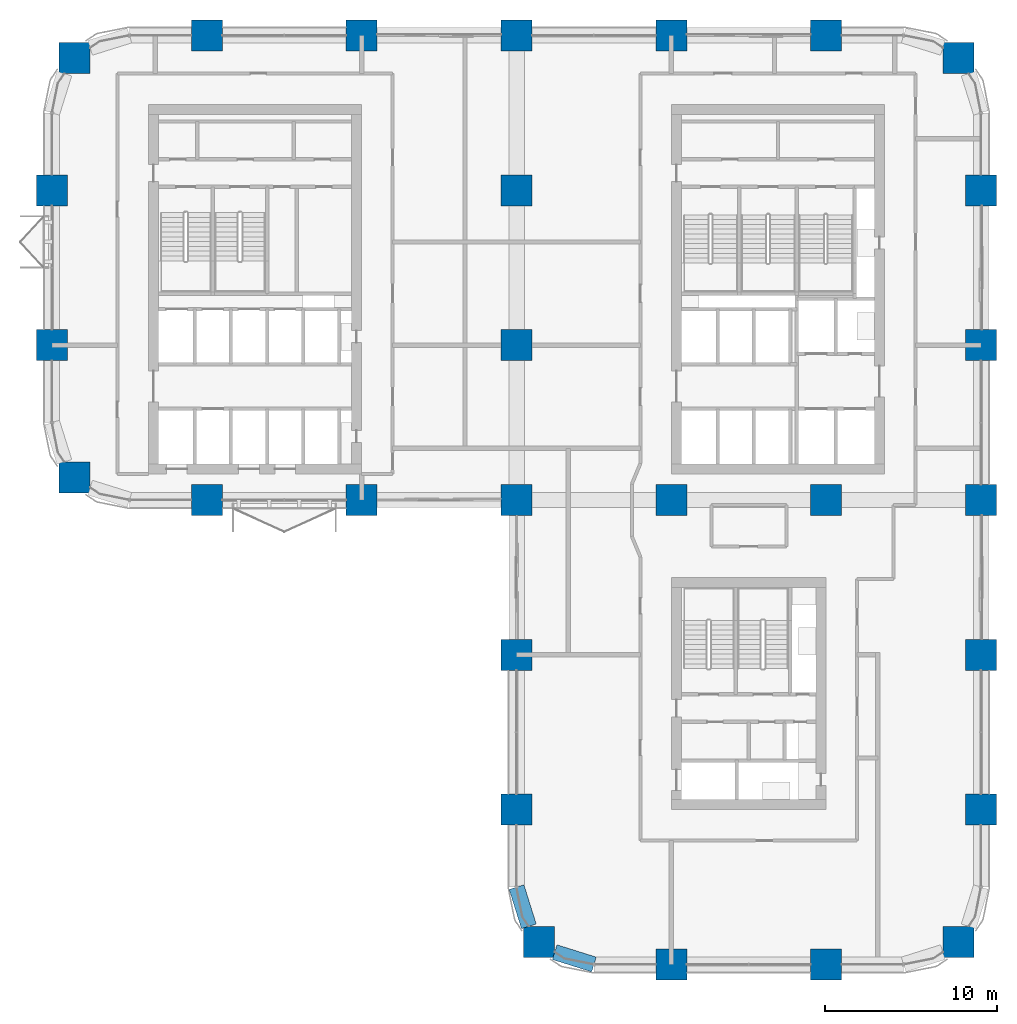
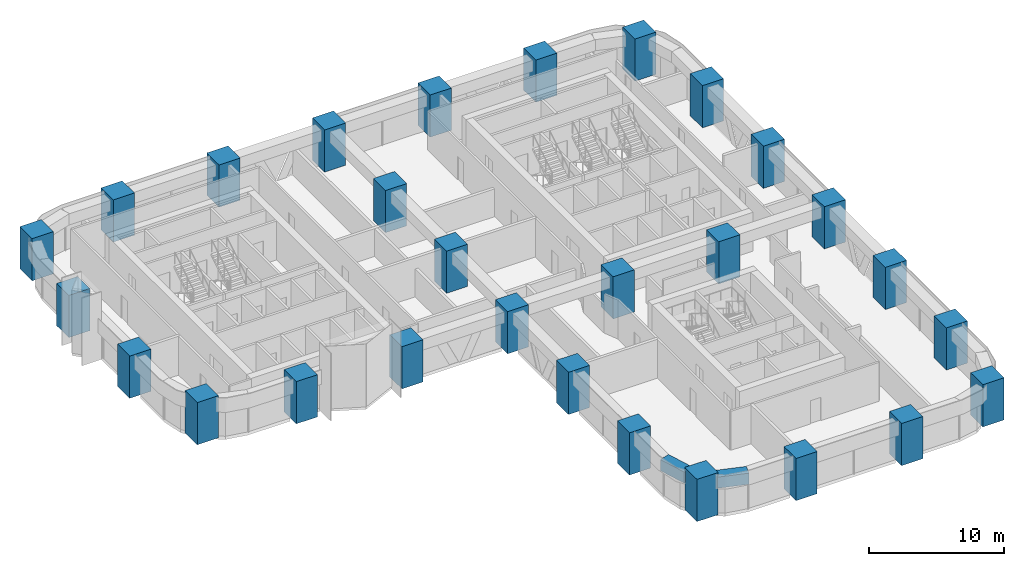
# One storey, part 1 of 18: 28 columns, 2 beams.
"""IFC4 building model written with IfcOpenShell, lengths in metres."""

from ifc_helpers import new_model, si_unit, direction, frame, origin, origin_2d, place, context, subcontext, project, spatial, rectangle, extrude, material, material_profile, profile_set, type_object, element, save


model = new_model("IFC4")

# Units and contexts
model_context = context("Model", 3, precision=1e-05, world=origin(), true_north=direction((0.0, 1.0)))
body_context = subcontext(model_context, "Body", "Model", "MODEL_VIEW")
ifc_project = project(units=[si_unit("LENGTHUNIT", "METRE"), si_unit("AREAUNIT", "SQUARE_METRE"), si_unit("VOLUMEUNIT", "CUBIC_METRE"), si_unit("PLANEANGLEUNIT", "RADIAN"), si_unit("MASSUNIT", "GRAM", prefix="KILO")], contexts=[model_context])

# Site, building, storey
site_placement = place(None, origin())
site = spatial("IfcSite", under=ifc_project, at=site_placement, CompositionType="ELEMENT")
building_placement = place(site_placement, origin())
building = spatial("IfcBuilding", under=site, at=building_placement, Name="Tessera Arch", CompositionType="ELEMENT")
storey_placement = place(building_placement, frame((0.0, 0.0, 115.800048828125)))
storey = spatial("IfcBuildingStorey", under=building, at=storey_placement, Name="L27", CompositionType="ELEMENT", Elevation=115.800048828125)

# Columns
ifc_material_1 = material(Name="Concrete C80/95", Category="concrete")
ifc_material_profile_1 = material_profile(ifc_material_1, rectangle(XDim=1.800048828125, YDim=1.800048828125, at=origin_2d()), Name="RC column 1800 x 1800 Concrete C80/95")
ifc_profile_set_1 = profile_set([ifc_material_profile_1], Name="Concrete C80/95")
column_type = type_object("IfcColumnType", Name="RC column 1800 x 1800 Concrete C80/95", PredefinedType="COLUMN", material=ifc_profile_set_1)
for number, where, z_axis, x_axis, name in (
    (1, (1.318115234375, 28.318115234375, 0.0), (0.0, 0.0, 1.0), (1.0, 0.0, 0.0), "Column C1D L27"),
    (2, (0.0, 36.0, 0.0), (0.0, 0.0, 1.0), (1.0, 0.0, 0.0), "Column C1E L27"),
    (3, (0.0, 45.0, 0.0), (0.0, 0.0, 1.0), (1.0, 0.0, 0.0), "Column C1F L27"),
    (4, (1.318115234375, 52.681884765625, 0.0), (0.0, 0.0, 1.0), (1.0, 0.0, 0.0), "Column C1G L27"),
    (5, (9.0, 27.0, 0.0), (0.0, 0.0, 1.0), (1.0, 0.0, 0.0), "Column C2D L27"),
    (6, (9.0, 54.0, 0.0), (0.0, 0.0, 1.0), (1.0, 0.0, 0.0), "Column C2G L27"),
    (7, (18.0, 27.0, 0.0), (0.0, 0.0, 1.0), (1.0, 0.0, 0.0), "Column C3D L27"),
    (8, (18.0, 54.0, 0.0), (0.0, 0.0, 1.0), (1.0, 0.0, 0.0), "Column C3G L27"),
    (9, (28.318115234375, 1.318115234375, 0.0), (0.0, 0.0, 1.0), (1.0, 0.0, 0.0), "Column C4A L27"),
    (10, (27.0, 9.0, 0.0), (0.0, 0.0, 1.0), (1.0, 0.0, 0.0), "Column C4B L27"),
    (11, (27.0, 18.0, 0.0), (0.0, 0.0, 1.0), (1.0, 0.0, 0.0), "Column C4C L27"),
    (12, (27.0, 27.0, 0.0), (0.0, 0.0, 1.0), (1.0, 0.0, 0.0), "Column C4D L27"),
    (13, (27.0, 36.0, 0.0), (0.0, 0.0, 1.0), (1.0, 0.0, 0.0), "Column C4E L27"),
    (14, (27.0, 45.0, 0.0), (0.0, 0.0, 1.0), (1.0, 0.0, 0.0), "Column C4F L27"),
    (15, (27.0, 54.0, 0.0), (0.0, 0.0, 1.0), (1.0, 0.0, 0.0), "Column C4G L27"),
    (16, (36.0, 0.0, 0.0), (0.0, 0.0, 1.0), (1.0, 0.0, 0.0), "Column C5A L27"),
    (17, (36.0, 27.0, 0.0), (0.0, 0.0, 1.0), (1.0, 0.0, 0.0), "Column C5D L27"),
    (18, (36.0, 54.0, 0.0), (0.0, 0.0, 1.0), (1.0, 0.0, 0.0), "Column C5G L27"),
    (19, (45.0, 0.0, 0.0), (0.0, 0.0, 1.0), (1.0, 0.0, 0.0), "Column C6A L27"),
    (20, (45.0, 27.0, 0.0), (0.0, 0.0, 1.0), (1.0, 0.0, 0.0), "Column C6D L27"),
    (21, (45.0, 54.0, 0.0), (0.0, 0.0, 1.0), (1.0, 0.0, 0.0), "Column C6G L27"),
    (22, (52.681884765625, 1.318115234375, 0.0), (0.0, 0.0, 1.0), (1.0, 0.0, 0.0), "Column C7A L27"),
    (23, (54.0, 9.0, 0.0), (0.0, 0.0, 1.0), (1.0, 0.0, 0.0), "Column C7B L27"),
    (24, (54.0, 18.0, 0.0), (0.0, 0.0, 1.0), (1.0, 0.0, 0.0), "Column C7C L27"),
    (25, (54.0, 27.0, 0.0), (0.0, 0.0, 1.0), (1.0, 0.0, 0.0), "Column C7D L27"),
    (26, (54.0, 36.0, 0.0), (0.0, 0.0, 1.0), (1.0, 0.0, 0.0), "Column C7E L27"),
    (27, (54.0, 45.0, 0.0), (0.0, 0.0, 1.0), (1.0, 0.0, 0.0), "Column C7F L27"),
    (28, (52.681884765625, 52.681884765625, 0.0), (0.0, 0.0, 1.0), (1.0, 0.0, 0.0), "Column C7G L27"),
):
    element("IfcColumn", number, at=place(storey_placement, frame(where, z_axis=z_axis, x_axis=x_axis)), inside=storey, type_object=column_type, Name=name, PredefinedType="COLUMN", context=body_context, shape_type="SweptSolid", body=[
        extrude(rectangle(XDim=1.800048828125, YDim=1.800048828125, at=origin_2d()), origin(), (0.0, 0.0, 1.0), 3.800048828125),
    ])

# Beams
ifc_material_2 = material(Name="Concrete C80/95", Category="concrete")
ifc_material_profile_2 = material_profile(ifc_material_2, rectangle(XDim=0.89990234375, YDim=1.0, at=origin_2d()), Name="RC spandrel beam 900 x 1000 Concrete C80/95")
ifc_profile_set_2 = profile_set([ifc_material_profile_2], Name="Concrete C80/95")
beam_type = type_object("IfcBeamType", Name="RC spandrel beam 900 x 1000 Concrete C80/95", PredefinedType="BEAM", material=ifc_profile_set_2)
for number, where, z_axis, x_axis, name in (
    (29, (27.0, 4.5, 3.0), (0.299675309057, -0.954041251279, 0.0), (0.954041251279, 0.299675309057, 0.0), "Spandrel beam L27 W27.0/2.2"),
    (30, (29.218017578125, 0.716796875, 3.0), (0.954041251279, -0.299675309057, 0.0), (0.299675309057, 0.954041251279, 0.0), "Spandrel beam L27 S0.27/0.1"),
):
    element("IfcBeam", number, at=place(storey_placement, frame(where, z_axis=z_axis, x_axis=x_axis)), inside=storey, type_object=beam_type, Name=name, PredefinedType="BEAM", context=body_context, shape_type="SweptSolid", body=[
        extrude(rectangle(XDim=0.89990234375, YDim=1.0, at=origin_2d()), origin(), (0.0, 0.0, 1.0), 2.391845703125),
    ])

save(model, "model.ifc")
